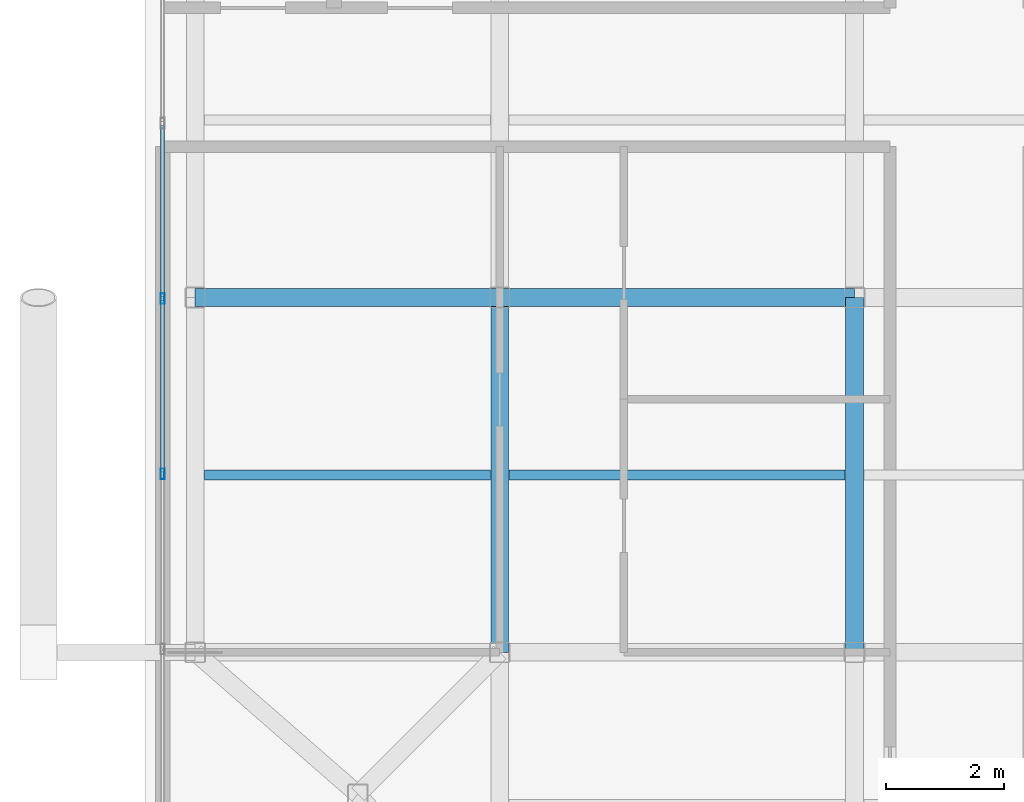
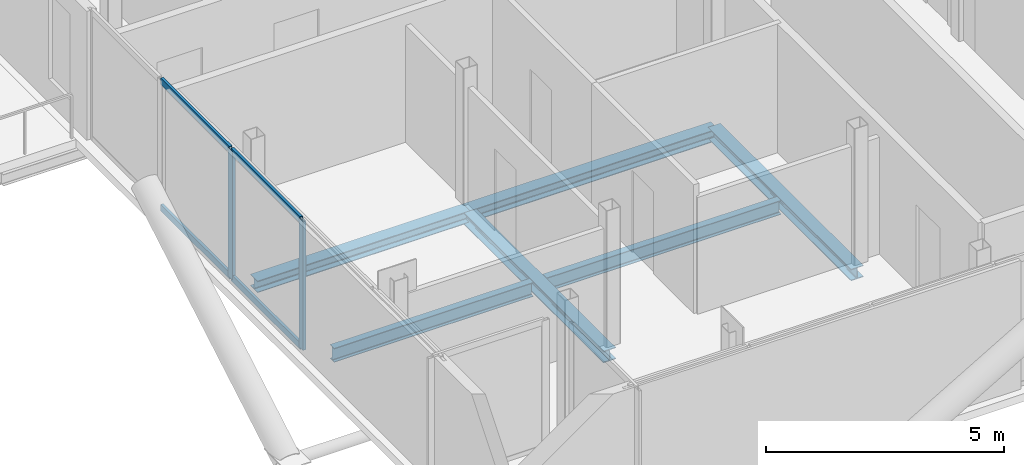
# One storey, part 4 of 19: 6 beams, 6 members, 1 element without a shape of its own.
"""IFC4 building model written with IfcOpenShell, lengths in metres."""

from ifc_helpers import new_model, si_unit, direction, frame, origin, origin_2d, place, context, subcontext, project, spatial, hollow_rectangle, i_section, extrude, material, layer, layer_set, material_profile, profile_set, type_object, element, aggregate, save


model = new_model("IFC4")

# Units and contexts
model_context = context("Model", 3, precision=1e-05, world=origin(), true_north=direction((0.0, 1.0)))
body_context = subcontext(model_context, "Body", "Model", "MODEL_VIEW")
ifc_project = project(units=[si_unit("LENGTHUNIT", "METRE"), si_unit("AREAUNIT", "SQUARE_METRE"), si_unit("VOLUMEUNIT", "CUBIC_METRE"), si_unit("PLANEANGLEUNIT", "RADIAN"), si_unit("MASSUNIT", "GRAM", prefix="KILO"), si_unit("THERMODYNAMICTEMPERATUREUNIT", "KELVIN"), si_unit("POWERUNIT", "WATT")], contexts=[model_context])

# Site, building, storey
site_placement = place(None, origin())
site = spatial("IfcSite", under=ifc_project, at=site_placement, CompositionType="ELEMENT")
building_placement = place(site_placement, origin())
building = spatial("IfcBuilding", under=site, at=building_placement, Name="Svarakhadi Broadcast Tower", CompositionType="ELEMENT")
storey_placement = place(building_placement, frame((0.0, 0.0, 243.199951171875)))
storey = spatial("IfcBuildingStorey", under=building, at=storey_placement, Name="L60", CompositionType="ELEMENT", Elevation=243.199951171875)

# Beams
ifc_material_1 = material(Name="Steel S355J2 (IS 2062 E350C)", Category="steel")
ifc_material_profile_1 = material_profile(ifc_material_1, i_section(OverallWidth=0.169921875, OverallDepth=0.360107421875, WebThickness=0.008056640625, FlangeThickness=0.0126953125, FilletRadius=0.01806640625, at=origin_2d()), Name="NPB 360x170x57")
ifc_profile_set_1 = profile_set([ifc_material_profile_1], Name="Steel S355J2 (IS 2062 E350C)")
beam_type_1 = type_object("IfcBeamType", Name="Beam_NPB360", PredefinedType="BEAM", material=ifc_profile_set_1)
beam_1_placement = place(storey_placement, frame((1.010009765625, 9.0, -0.3798828125), z_axis=(1.0, 0.0, 0.0), x_axis=(0.0, 1.0, 0.0)))
element("IfcBeam", 1, at=beam_1_placement, inside=storey, type_object=beam_type_1, Name="L60 Secondary Composite Beam SB001", PredefinedType="BEAM", context=body_context, shape_type="SweptSolid", body=[
    extrude(i_section(OverallWidth=0.169921875, OverallDepth=0.360107421875, WebThickness=0.008056640625, FlangeThickness=0.0126953125, FilletRadius=0.01806640625, at=origin_2d()), origin(), (0.0, 0.0, 1.0), 4.830078125),
])
beam_2_placement = place(storey_placement, frame((6.159912109375, 9.0, -0.3798828125), z_axis=(1.0, 0.0, 0.0), x_axis=(0.0, 1.0, 0.0)))
element("IfcBeam", 2, at=beam_2_placement, inside=storey, type_object=beam_type_1, Name="L60 Secondary Composite Beam SB005", PredefinedType="BEAM", context=body_context, shape_type="SweptSolid", body=[
    extrude(i_section(OverallWidth=0.169921875, OverallDepth=0.360107421875, WebThickness=0.008056640625, FlangeThickness=0.0126953125, FilletRadius=0.01806640625, at=origin_2d()), origin(), (0.0, 0.0, 1.0), 5.68017578125),
])

# Curtain wall, members
ifc_material_2 = material(Name="Anodised Bronze Aluminium AA 6063-T6", Category="aluminium")
ifc_layer = layer(ifc_material_2, 0.179931640625)
ifc_layer_set = layer_set([ifc_layer], Name="Anodised Bronze Aluminium AA 6063-T6")
curtain_wall_type = type_object("IfcCurtainWallType", Name="CW_Sys_05", PredefinedType="NOTDEFINED", material=ifc_layer_set)
curtain_wall_placement = place(storey_placement, origin())
curtain_wall = element("IfcCurtainWall", 3, at=curtain_wall_placement, inside=storey, type_object=curtain_wall_type, Name="L60 West Curtain Wall 02", PredefinedType="NOTDEFINED")
ifc_material_profile_2 = material_profile(ifc_material_2, hollow_rectangle(XDim=0.070068359375, YDim=0.179931640625, WallThickness=0.005615234375, at=origin_2d()), Name="ALU MULLION 180x70x6")
ifc_profile_set_2 = profile_set([ifc_material_profile_2], Name="Anodised Bronze Aluminium AA 6063-T6")
member_type_1 = type_object("IfcMemberType", Name="CW_Sys_05_Mul", PredefinedType="MULLION", material=ifc_profile_set_2)
member_1_placement = place(storey_placement, frame((0.300048828125, 9.01806640625, 0.0), z_axis=(0.0, 0.0, 1.0), x_axis=(-1.0, 0.0, 0.0)))
member_1 = element("IfcMember", 4, at=member_1_placement, type_object=member_type_1, Name="CW-05 mullion 3", PredefinedType="MULLION", context=body_context, shape_type="SweptSolid", body=[
    extrude(hollow_rectangle(XDim=0.070068359375, YDim=0.179931640625, WallThickness=0.005615234375, at=origin_2d()), origin(), (0.0, 0.0, 1.0), 3.300048828125),
])
member_2_placement = place(storey_placement, frame((0.300048828125, 11.98193359375, 0.0), z_axis=(0.0, 0.0, 1.0), x_axis=(-1.0, 0.0, 0.0)))
member_2 = element("IfcMember", 5, at=member_2_placement, type_object=member_type_1, Name="CW-05 mullion 4", PredefinedType="MULLION", context=body_context, shape_type="SweptSolid", body=[
    extrude(hollow_rectangle(XDim=0.070068359375, YDim=0.179931640625, WallThickness=0.005615234375, at=origin_2d()), origin(), (0.0, 0.0, 1.0), 3.300048828125),
])
ifc_material_profile_3 = material_profile(ifc_material_2, hollow_rectangle(XDim=0.06494140625, YDim=0.1650390625, WallThickness=0.0048828125, at=origin_2d()), Name="ALU TRANSOM 165x65x5")
ifc_profile_set_3 = profile_set([ifc_material_profile_3], Name="Anodised Bronze Aluminium AA 6063-T6")
member_type_2 = type_object("IfcMemberType", Name="CW_Sys_05_Trn", PredefinedType="USERDEFINED", material=ifc_profile_set_3)
member_3_placement = place(storey_placement, frame((0.300048828125, 9.052978515625, 0.032470703125), z_axis=(0.0, 1.0, 0.0), x_axis=(-1.0, 0.0, 0.0)))
member_3 = element("IfcMember", 6, at=member_3_placement, type_object=member_type_2, Name="CW-05 transom 3.1", ObjectType="TRANSOM", PredefinedType="USERDEFINED", context=body_context, shape_type="SweptSolid", body=[
    extrude(hollow_rectangle(XDim=0.06494140625, YDim=0.1650390625, WallThickness=0.0048828125, at=origin_2d()), origin(), (0.0, 0.0, 1.0), 2.89404296875),
])
member_4_placement = place(storey_placement, frame((0.300048828125, 9.052978515625, 3.267578125), z_axis=(0.0, 1.0, 0.0), x_axis=(-1.0, 0.0, 0.0)))
member_4 = element("IfcMember", 7, at=member_4_placement, type_object=member_type_2, Name="CW-05 transom 3.2", ObjectType="TRANSOM", PredefinedType="USERDEFINED", context=body_context, shape_type="SweptSolid", body=[
    extrude(hollow_rectangle(XDim=0.06494140625, YDim=0.1650390625, WallThickness=0.0048828125, at=origin_2d()), origin(), (0.0, 0.0, 1.0), 2.89404296875),
])
member_5_placement = place(storey_placement, frame((0.300048828125, 12.01708984375, 0.032470703125), z_axis=(0.0, 1.0, 0.0), x_axis=(-1.0, 0.0, 0.0)))
member_5 = element("IfcMember", 8, at=member_5_placement, type_object=member_type_2, Name="CW-05 transom 4.1", ObjectType="TRANSOM", PredefinedType="USERDEFINED", context=body_context, shape_type="SweptSolid", body=[
    extrude(hollow_rectangle(XDim=0.06494140625, YDim=0.1650390625, WallThickness=0.0048828125, at=origin_2d()), origin(), (0.0, 0.0, 1.0), 2.893798828125),
])
member_6_placement = place(storey_placement, frame((0.300048828125, 12.01708984375, 3.267578125), z_axis=(0.0, 1.0, 0.0), x_axis=(-1.0, 0.0, 0.0)))
member_6 = element("IfcMember", 9, at=member_6_placement, type_object=member_type_2, Name="CW-05 transom 4.2", ObjectType="TRANSOM", PredefinedType="USERDEFINED", context=body_context, shape_type="SweptSolid", body=[
    extrude(hollow_rectangle(XDim=0.06494140625, YDim=0.1650390625, WallThickness=0.0048828125, at=origin_2d()), origin(), (0.0, 0.0, 1.0), 2.893798828125),
])
aggregate(curtain_wall, [member_1, member_2, member_3, member_4, member_5, member_6])

# Beams
ifc_material_profile_4 = material_profile(ifc_material_1, i_section(OverallWidth=0.300048828125, OverallDepth=0.300048828125, WebThickness=0.010986328125, FlangeThickness=0.01904296875, FilletRadius=0.027099609375, at=origin_2d()), Name="WPB 300x300x117")
ifc_profile_set_4 = profile_set([ifc_material_profile_4], Name="Steel S355J2 (IS 2062 E350C)")
beam_type_2 = type_object("IfcBeamType", Name="Girder_WPB300", PredefinedType="USERDEFINED", material=ifc_profile_set_4)
beam_3_placement = place(storey_placement, frame((0.85009765625, 12.0, -0.349853515625), z_axis=(1.0, 0.0, 0.0), x_axis=(0.0, 1.0, 0.0)))
element("IfcBeam", 10, at=beam_3_placement, inside=storey, type_object=beam_type_2, Name="L60 Primary E-W Girder G013", ObjectType="GIRDER", PredefinedType="USERDEFINED", context=body_context, shape_type="SweptSolid", body=[
    extrude(i_section(OverallWidth=0.300048828125, OverallDepth=0.300048828125, WebThickness=0.010986328125, FlangeThickness=0.01904296875, FilletRadius=0.027099609375, at=origin_2d()), origin(), (0.0, 0.0, 1.0), 5.14990234375),
])
for number, where, z_axis, x_axis, name in (
    (11, (6.0, 12.0, -0.349853515625), (1.0, 0.0, 0.0), (0.0, 1.0, 0.0), "L60 Primary E-W Girder G014"),
    (12, (6.0, 6.0, -0.349853515625), (0.0, 1.0, 0.0), (-1.0, 0.0, 0.0), "L60 Primary N-S Girder G030"),
    (13, (12.0, 6.0, -0.349853515625), (0.0, 1.0, 0.0), (-1.0, 0.0, 0.0), "L60 Primary N-S Girder G034"),
):
    element("IfcBeam", number, at=place(storey_placement, frame(where, z_axis=z_axis, x_axis=x_axis)), inside=storey, type_object=beam_type_2, Name=name, ObjectType="GIRDER", PredefinedType="USERDEFINED", context=body_context, shape_type="SweptSolid", body=[
        extrude(i_section(OverallWidth=0.300048828125, OverallDepth=0.300048828125, WebThickness=0.010986328125, FlangeThickness=0.01904296875, FilletRadius=0.027099609375, at=origin_2d()), origin(), (0.0, 0.0, 1.0), 6.0),
    ])

save(model, "model.ifc")
